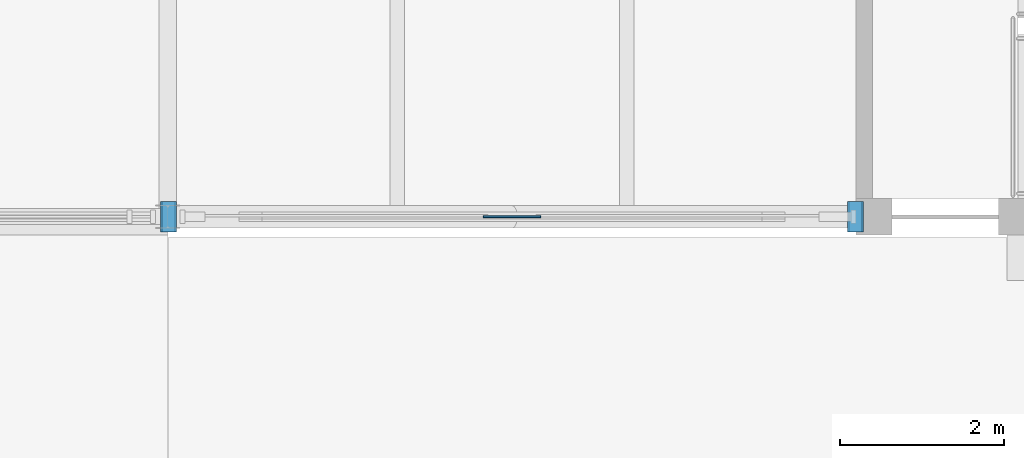
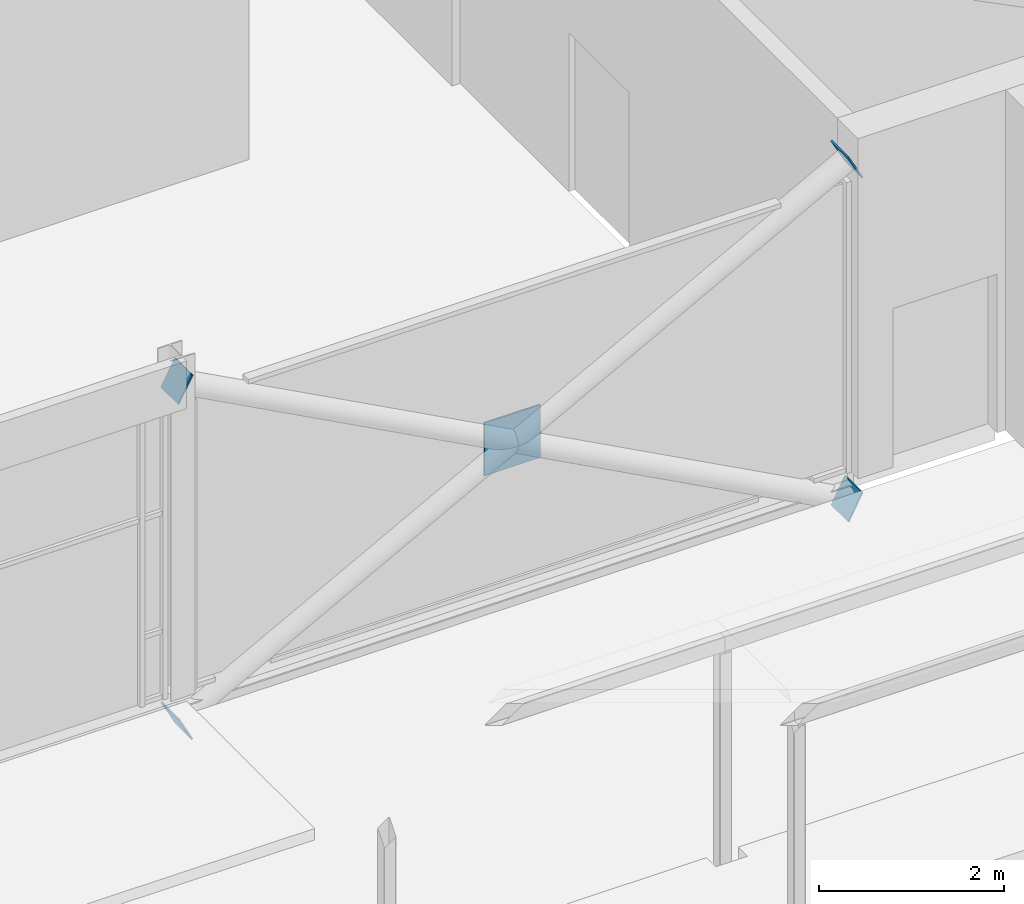
# One storey, part 99 of 116: 5 discrete accessories.
"""IFC4 building model written with IfcOpenShell, lengths in metres."""

from ifc_helpers import new_model, si_unit, direction, frame, origin, origin_2d, place, context, subcontext, project, spatial, rectangle, extrude, material, material_profile, profile_set, type_object, element, save


model = new_model("IFC4")

# Units and contexts
model_context = context("Model", 3, precision=1e-05, world=origin(), true_north=direction((0.0, 1.0)))
body_context = subcontext(model_context, "Body", "Model", "MODEL_VIEW")
ifc_project = project(units=[si_unit("LENGTHUNIT", "METRE"), si_unit("AREAUNIT", "SQUARE_METRE"), si_unit("VOLUMEUNIT", "CUBIC_METRE"), si_unit("PLANEANGLEUNIT", "RADIAN"), si_unit("MASSUNIT", "GRAM", prefix="KILO")], contexts=[model_context])

# Site, building, storey
site_placement = place(None, origin())
site = spatial("IfcSite", under=ifc_project, at=site_placement, CompositionType="ELEMENT")
building_placement = place(site_placement, origin())
building = spatial("IfcBuilding", under=site, at=building_placement, Name="Ardhachandra Cancer Care Centre", CompositionType="ELEMENT")
storey_placement = place(building_placement, origin())
storey = spatial("IfcBuildingStorey", under=building, at=storey_placement, Name="L00", CompositionType="ELEMENT", Elevation=0.0)

# Discrete accessories
ifc_material_1 = material(Name="Steel E250 (IS 2062)", Category="steel")
ifc_material_profile_1 = material_profile(ifc_material_1, rectangle(XDim=0.373046875, YDim=0.373046875, at=origin_2d()), Name="PL 373x373x20")
ifc_profile_set_1 = profile_set([ifc_material_profile_1], Name="Steel E250 (IS 2062)")
discrete_accessory_type_1 = type_object("IfcDiscreteAccessoryType", Name="Brace end plate 373 x 373 x 20", PredefinedType="BRACKET", material=ifc_profile_set_1)
discrete_accessory_1_placement = place(storey_placement, frame((27.60009765625, 29.39990234375, -0.39990234375), z_axis=(0.884384752847, 0.0, 0.466758619558), x_axis=(0.0, 1.0, 0.0)))
element("IfcDiscreteAccessory", 1, at=discrete_accessory_1_placement, inside=storey, type_object=discrete_accessory_type_1, Name="Brace end plate V2-X294-276 L00 A0", PredefinedType="BRACKET", context=body_context, shape_type="SweptSolid", body=[
    extrude(rectangle(XDim=0.373046875, YDim=0.373046875, at=origin_2d()), origin(), (0.0, 0.0, 1.0), 0.019775390625),
])
discrete_accessory_2_placement = place(storey_placement, frame((36.0, 29.39990234375, 4.10009765625), z_axis=(-0.879291966537, 0.0, -0.476283148541), x_axis=(0.0, -1.0, 0.0)))
element("IfcDiscreteAccessory", 2, at=discrete_accessory_2_placement, inside=storey, type_object=discrete_accessory_type_1, Name="Brace end plate V2-X294-276 L00 A1", PredefinedType="BRACKET", context=body_context, shape_type="SweptSolid", body=[
    extrude(rectangle(XDim=0.373046875, YDim=0.373046875, at=origin_2d()), origin(), (0.0, 0.0, 1.0), 0.02001953125),
])
discrete_accessory_3_placement = place(storey_placement, frame((36.0, 29.39990234375, -0.39990234375), z_axis=(-0.884384752847, 0.0, 0.466758619558), x_axis=(0.0, -1.0, 0.0)))
element("IfcDiscreteAccessory", 3, at=discrete_accessory_3_placement, inside=storey, type_object=discrete_accessory_type_1, Name="Brace end plate V2-X294-276 L00 B10", PredefinedType="BRACKET", context=body_context, shape_type="SweptSolid", body=[
    extrude(rectangle(XDim=0.373046875, YDim=0.373046875, at=origin_2d()), origin(), (0.0, 0.0, 1.0), 0.019775390625),
])
discrete_accessory_4_placement = place(storey_placement, frame((27.60009765625, 29.39990234375, 4.10009765625), z_axis=(0.879291966537, 0.0, -0.476283148541), x_axis=(0.0, 1.0, 0.0)))
element("IfcDiscreteAccessory", 4, at=discrete_accessory_4_placement, inside=storey, type_object=discrete_accessory_type_1, Name="Brace end plate V2-X294-276 L00 B21", PredefinedType="BRACKET", context=body_context, shape_type="SweptSolid", body=[
    extrude(rectangle(XDim=0.373046875, YDim=0.373046875, at=origin_2d()), origin(), (0.0, 0.0, 1.0), 0.02001953125),
])
ifc_material_2 = material(Name="Steel E250 (IS 2062)", Category="steel")
ifc_material_profile_2 = material_profile(ifc_material_2, rectangle(XDim=0.699951171875, YDim=0.699951171875, at=origin_2d()), Name="PL 700x700x20")
ifc_profile_set_2 = profile_set([ifc_material_profile_2], Name="Steel E250 (IS 2062)")
discrete_accessory_type_2 = type_object("IfcDiscreteAccessoryType", Name="Brace node plate 700 x 700 x 20", PredefinedType="BRACKET", material=ifc_profile_set_2)
discrete_accessory_5_placement = place(storey_placement, frame((31.800048828125, 29.389892578125, 1.85009765625), z_axis=(0.0, 1.0, 0.0), x_axis=(-1.0, 0.0, 0.0)))
element("IfcDiscreteAccessory", 5, at=discrete_accessory_5_placement, inside=storey, type_object=discrete_accessory_type_2, Name="Brace node plate V2-X294-276 L00", PredefinedType="BRACKET", context=body_context, shape_type="SweptSolid", body=[
    extrude(rectangle(XDim=0.699951171875, YDim=0.699951171875, at=origin_2d()), origin(), (0.0, 0.0, 1.0), 0.02001953125),
])

save(model, "model.ifc")
